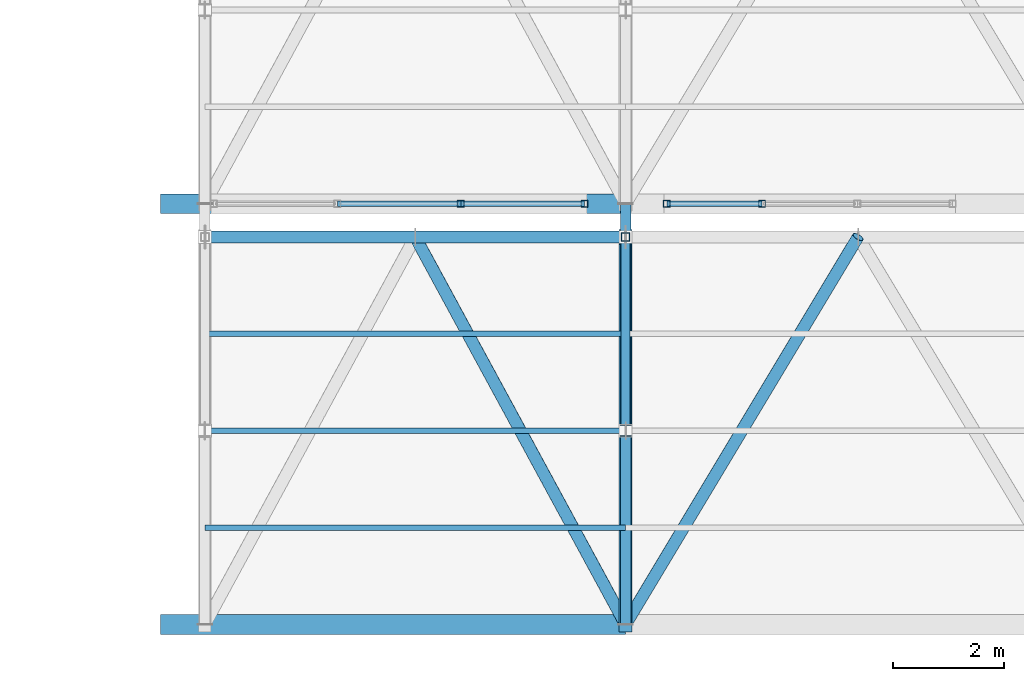
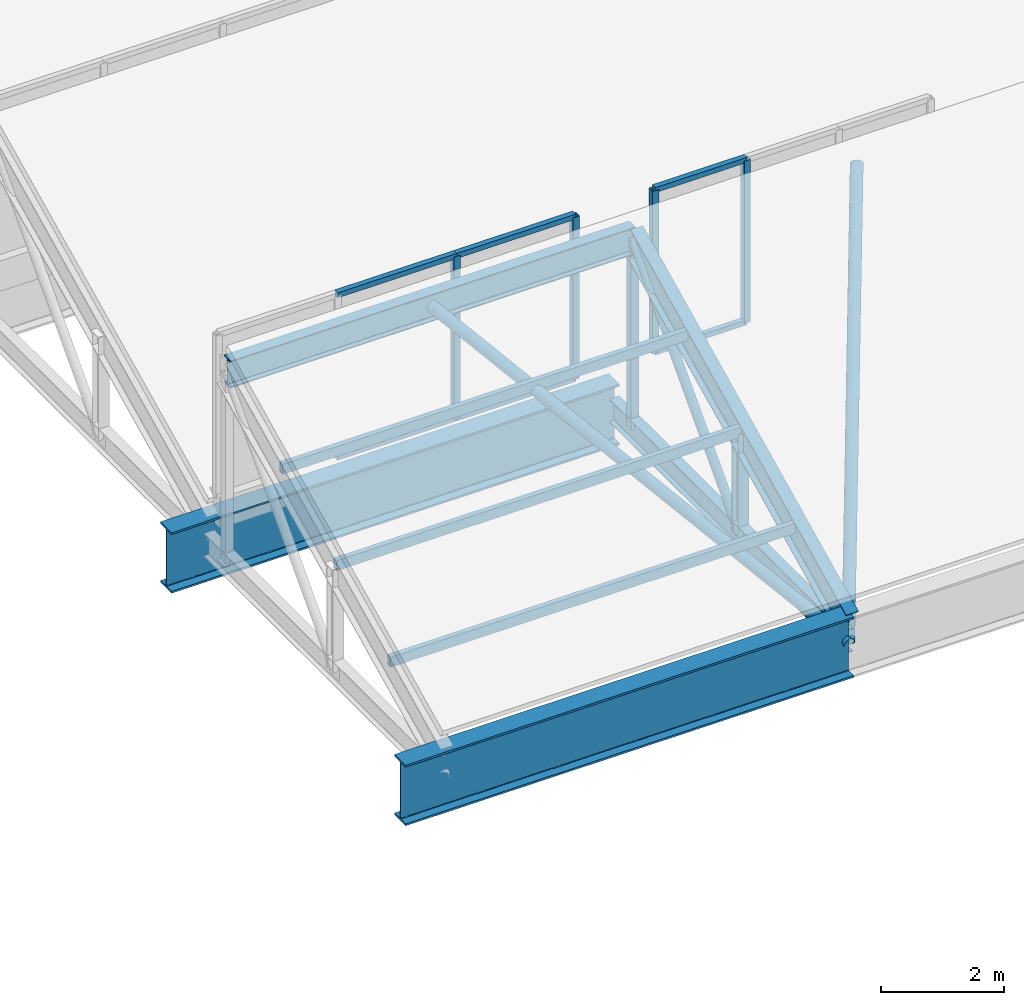
# One storey, part 6 of 57: 21 members, 2 beams, 2 elements without a shape of their own.
"""IFC4 building model written with IfcOpenShell, lengths in metres."""

from ifc_helpers import new_model, si_unit, direction, frame, origin, origin_2d, place, context, subcontext, project, spatial, hollow_rectangle, hollow_circle, i_section, extrude, material, material_profile, profile_set, type_object, element, aggregate, save


model = new_model("IFC4")

# Units and contexts
model_context = context("Model", 3, precision=1e-05, world=origin(), true_north=direction((0.0, 1.0)))
body_context = subcontext(model_context, "Body", "Model", "MODEL_VIEW")
ifc_project = project(units=[si_unit("LENGTHUNIT", "METRE"), si_unit("AREAUNIT", "SQUARE_METRE"), si_unit("VOLUMEUNIT", "CUBIC_METRE"), si_unit("PLANEANGLEUNIT", "RADIAN"), si_unit("MASSUNIT", "GRAM", prefix="KILO")], contexts=[model_context])

# Site, building, storey
site_placement = place(None, origin())
site = spatial("IfcSite", under=ifc_project, at=site_placement, CompositionType="ELEMENT")
building_placement = place(site_placement, origin())
building = spatial("IfcBuilding", under=site, at=building_placement, Name="Zuvorla Pavilion Media Centre", CompositionType="ELEMENT")
storey_placement = place(building_placement, frame((0.0, 0.0, 18.0)))
storey = spatial("IfcBuildingStorey", under=building, at=storey_placement, Name="L04", CompositionType="ELEMENT", Elevation=18.0)

# Beams
ifc_material_1 = material(Name="Steel S355", Category="steel")
ifc_material_profile_1 = material_profile(ifc_material_1, i_section(OverallWidth=0.360107421875, OverallDepth=1.199951171875, WebThickness=0.02001953125, FlangeThickness=0.0380859375, FilletRadius=0.02392578125, at=origin_2d()), Name="PG 1200x360x38")
ifc_profile_set_1 = profile_set([ifc_material_profile_1], Name="Steel S355")
beam_type = type_object("IfcBeamType", Name="BM-PG1200", PredefinedType="BEAM", material=ifc_profile_set_1)
for number, where, z_axis, x_axis, name in (
    (1, (117.199951171875, 6.0, -0.887939453125), (1.0, 0.0, 0.0), (0.0, 1.0, 0.0), "L04 beam B01 1814"),
    (2, (117.199951171875, 13.60009765625, -0.887939453125), (1.0, 0.0, 0.0), (0.0, 1.0, 0.0), "L04 beam B01 1817"),
):
    element("IfcBeam", number, at=place(storey_placement, frame(where, z_axis=z_axis, x_axis=x_axis)), inside=storey, type_object=beam_type, Name=name, PredefinedType="BEAM", context=body_context, shape_type="SweptSolid", body=[
        extrude(i_section(OverallWidth=0.360107421875, OverallDepth=1.199951171875, WebThickness=0.02001953125, FlangeThickness=0.0380859375, FilletRadius=0.02392578125, at=origin_2d()), origin(), (0.0, 0.0, 1.0), 8.400146484375),
    ])

# Curtain wall, members
ifc_material_2 = material(Name="Unitised anodised aluminium and solar glass curtain wall", Category="aluminium")
curtain_wall_type_1 = type_object("IfcCurtainWallType", Name="CW-SYS-90", PredefinedType="USERDEFINED", material=ifc_material_2)
curtain_wall_1_placement = place(storey_placement, origin())
curtain_wall_1 = element("IfcCurtainWall", 3, at=curtain_wall_1_placement, inside=storey, type_object=curtain_wall_type_1, Name="L04 curtain wall CW90 224", ObjectType="CURTAIN WALL", PredefinedType="USERDEFINED")
ifc_material_3 = material(Name="Anodised aluminium 6063-T6", Category="aluminium")
ifc_material_profile_2 = material_profile(ifc_material_3, hollow_rectangle(XDim=0.1201171875, YDim=0.1201171875, WallThickness=0.0048828125, at=origin_2d()), Name="ALU MULL 120x120")
ifc_profile_set_2 = profile_set([ifc_material_profile_2], Name="Anodised aluminium 6063-T6")
member_type_1 = type_object("IfcMemberType", Name="CW-MULL-120", PredefinedType="MULLION", material=ifc_profile_set_2)
member_1_placement = place(storey_placement, frame((122.623779296875, 13.60009765625, 0.0), z_axis=(0.0, 0.0, 1.0), x_axis=(1.0, 0.0, 0.0)))
member_1 = element("IfcMember", 4, at=member_1_placement, type_object=member_type_1, Name="CW90 mullion 3", PredefinedType="MULLION", context=body_context, shape_type="SweptSolid", body=[
    extrude(hollow_rectangle(XDim=0.1201171875, YDim=0.1201171875, WallThickness=0.0048828125, at=origin_2d()), origin(), (0.0, 0.0, 1.0), 3.219970703125),
])
member_2_placement = place(storey_placement, frame((124.855712890625, 13.60009765625, 0.0), z_axis=(0.0, 0.0, 1.0), x_axis=(1.0, 0.0, 0.0)))
member_2 = element("IfcMember", 5, at=member_2_placement, type_object=member_type_1, Name="CW90 mullion 4", PredefinedType="MULLION", context=body_context, shape_type="SweptSolid", body=[
    extrude(hollow_rectangle(XDim=0.1201171875, YDim=0.1201171875, WallThickness=0.0048828125, at=origin_2d()), origin(), (0.0, 0.0, 1.0), 3.219970703125),
])

curtain_wall_type_2 = type_object("IfcCurtainWallType", Name="CW-SYS-91", PredefinedType="USERDEFINED", material=ifc_material_2)
curtain_wall_2_placement = place(storey_placement, origin())
curtain_wall_2 = element("IfcCurtainWall", 6, at=curtain_wall_2_placement, inside=storey, type_object=curtain_wall_type_2, Name="L04 curtain wall CW91 225", ObjectType="CURTAIN WALL", PredefinedType="USERDEFINED")
member_3_placement = place(storey_placement, frame((126.34423828125, 13.60009765625, 0.0), z_axis=(0.0, 0.0, 1.0), x_axis=(1.0, 0.0, 0.0)))
member_3 = element("IfcMember", 7, at=member_3_placement, type_object=member_type_1, Name="CW91 mullion 1", PredefinedType="MULLION", context=body_context, shape_type="SweptSolid", body=[
    extrude(hollow_rectangle(XDim=0.1201171875, YDim=0.1201171875, WallThickness=0.0048828125, at=origin_2d()), origin(), (0.0, 0.0, 1.0), 3.219970703125),
])
member_4_placement = place(storey_placement, frame((128.065185546875, 13.60009765625, 0.0), z_axis=(0.0, 0.0, 1.0), x_axis=(1.0, 0.0, 0.0)))
member_4 = element("IfcMember", 8, at=member_4_placement, type_object=member_type_1, Name="CW91 mullion 2", PredefinedType="MULLION", context=body_context, shape_type="SweptSolid", body=[
    extrude(hollow_rectangle(XDim=0.1201171875, YDim=0.1201171875, WallThickness=0.0048828125, at=origin_2d()), origin(), (0.0, 0.0, 1.0), 3.219970703125),
])

# Member
ifc_material_profile_3 = material_profile(ifc_material_3, hollow_rectangle(XDim=0.10009765625, YDim=0.10009765625, WallThickness=0.00439453125, at=origin_2d()), Name="ALU TRAN 100x100")
ifc_profile_set_3 = profile_set([ifc_material_profile_3], Name="Anodised aluminium 6063-T6")
member_type_2 = type_object("IfcMemberType", Name="CW-TRAN-100", PredefinedType="USERDEFINED", material=ifc_profile_set_3)
member_5_placement = place(storey_placement, frame((120.391845703125, 13.60009765625, 0.0), z_axis=(1.0, 0.0, 0.0), x_axis=(0.0, 1.0, 0.0)))
member_5 = element("IfcMember", 9, at=member_5_placement, type_object=member_type_2, Name="CW90 transom 2.1", ObjectType="TRANSOM", PredefinedType="USERDEFINED", context=body_context, shape_type="SweptSolid", body=[
    extrude(hollow_rectangle(XDim=0.10009765625, YDim=0.10009765625, WallThickness=0.00439453125, at=origin_2d()), origin(), (0.0, 0.0, 1.0), 2.23193359375),
])

member_6_placement = place(storey_placement, frame((120.391845703125, 13.60009765625, 3.219970703125), z_axis=(1.0, 0.0, 0.0), x_axis=(0.0, 1.0, 0.0)))
member_6 = element("IfcMember", 10, at=member_6_placement, type_object=member_type_2, Name="CW90 transom 2.2", ObjectType="TRANSOM", PredefinedType="USERDEFINED", context=body_context, shape_type="SweptSolid", body=[
    extrude(hollow_rectangle(XDim=0.10009765625, YDim=0.10009765625, WallThickness=0.00439453125, at=origin_2d()), origin(), (0.0, 0.0, 1.0), 2.23193359375),
])

member_7_placement = place(storey_placement, frame((122.623779296875, 13.60009765625, 0.0), z_axis=(1.0, 0.0, 0.0), x_axis=(0.0, 1.0, 0.0)))
member_7 = element("IfcMember", 11, at=member_7_placement, type_object=member_type_2, Name="CW90 transom 3.1", ObjectType="TRANSOM", PredefinedType="USERDEFINED", context=body_context, shape_type="SweptSolid", body=[
    extrude(hollow_rectangle(XDim=0.10009765625, YDim=0.10009765625, WallThickness=0.00439453125, at=origin_2d()), origin(), (0.0, 0.0, 1.0), 2.23193359375),
])

member_8_placement = place(storey_placement, frame((122.623779296875, 13.60009765625, 3.219970703125), z_axis=(1.0, 0.0, 0.0), x_axis=(0.0, 1.0, 0.0)))
member_8 = element("IfcMember", 12, at=member_8_placement, type_object=member_type_2, Name="CW90 transom 3.2", ObjectType="TRANSOM", PredefinedType="USERDEFINED", context=body_context, shape_type="SweptSolid", body=[
    extrude(hollow_rectangle(XDim=0.10009765625, YDim=0.10009765625, WallThickness=0.00439453125, at=origin_2d()), origin(), (0.0, 0.0, 1.0), 2.23193359375),
])

aggregate(curtain_wall_1, [member_1, member_2, member_5, member_6, member_7, member_8])

member_9_placement = place(storey_placement, frame((126.34423828125, 13.60009765625, 0.0), z_axis=(1.0, 0.0, 0.0), x_axis=(0.0, 1.0, 0.0)))
member_9 = element("IfcMember", 13, at=member_9_placement, type_object=member_type_2, Name="CW91 transom 1.1", ObjectType="TRANSOM", PredefinedType="USERDEFINED", context=body_context, shape_type="SweptSolid", body=[
    extrude(hollow_rectangle(XDim=0.10009765625, YDim=0.10009765625, WallThickness=0.00439453125, at=origin_2d()), origin(), (0.0, 0.0, 1.0), 1.720947265625),
])

member_10_placement = place(storey_placement, frame((126.34423828125, 13.60009765625, 3.219970703125), z_axis=(1.0, 0.0, 0.0), x_axis=(0.0, 1.0, 0.0)))
member_10 = element("IfcMember", 14, at=member_10_placement, type_object=member_type_2, Name="CW91 transom 1.2", ObjectType="TRANSOM", PredefinedType="USERDEFINED", context=body_context, shape_type="SweptSolid", body=[
    extrude(hollow_rectangle(XDim=0.10009765625, YDim=0.10009765625, WallThickness=0.00439453125, at=origin_2d()), origin(), (0.0, 0.0, 1.0), 1.720947265625),
])

aggregate(curtain_wall_2, [member_3, member_4, member_9, member_10])

# Members
ifc_material_profile_4 = material_profile(ifc_material_1, hollow_circle(Radius=0.084228515625, WallThickness=0.008056640625, at=origin_2d()), Name="CHS 168.3x8")
ifc_profile_set_4 = profile_set([ifc_material_profile_4], Name="Steel S355")
member_type_3 = type_object("IfcMemberType", Name="MEM-BRC-CHS168", PredefinedType="BRACE", material=ifc_profile_set_4)
member_11_placement = place(storey_placement, frame((125.60009765625, 9.5, -0.8798828125), z_axis=(0.0, 0.681156069412, 0.732138244529), x_axis=(-1.0, 0.0, 0.0)))
element("IfcMember", 15, at=member_11_placement, inside=storey, type_object=member_type_3, Name="L04 diagonal brace TB03 506", PredefinedType="BRACE", context=body_context, shape_type="SweptSolid", body=[
    extrude(hollow_circle(Radius=0.084228515625, WallThickness=0.008056640625, at=origin_2d()), origin(), (0.0, 0.0, 1.0), 5.138427734375),
])
ifc_material_profile_5 = material_profile(ifc_material_1, hollow_circle(Radius=0.109619140625, WallThickness=0.010009765625, at=origin_2d()), Name="CHS 219.1x10")
ifc_profile_set_5 = profile_set([ifc_material_profile_5], Name="Steel S355")
member_type_4 = type_object("IfcMemberType", Name="MEM-BRC-CHS219", PredefinedType="BRACE", material=ifc_profile_set_5)
member_12_placement = place(storey_placement, frame((121.800048828125, 13.0, 2.882080078125), z_axis=(0.431398513672, -0.79467126142, -0.427074827958), x_axis=(0.878850861224, 0.477096597899, 0.0)))
element("IfcMember", 16, at=member_12_placement, inside=storey, type_object=member_type_4, Name="L04 diagonal brace TB02 530", PredefinedType="BRACE", context=body_context, shape_type="SweptSolid", body=[
    extrude(hollow_circle(Radius=0.109619140625, WallThickness=0.010009765625, at=origin_2d()), origin(), (0.0, 0.0, 1.0), 8.80859375),
])
member_13_placement = place(storey_placement, frame((125.60009765625, 6.0, -0.8798828125), z_axis=(0.46726169892, 0.778778552081, 0.418533716135), x_axis=(-0.857495564561, 0.514491357322, 0.0)))
element("IfcMember", 17, at=member_13_placement, inside=storey, type_object=member_type_4, Name="L04 diagonal brace TB02 535", PredefinedType="BRACE", context=body_context, shape_type="SweptSolid", body=[
    extrude(hollow_circle(Radius=0.109619140625, WallThickness=0.010009765625, at=origin_2d()), origin(), (0.0, 0.0, 1.0), 8.988525390625),
])
ifc_material_profile_6 = material_profile(ifc_material_1, i_section(OverallWidth=0.19140625, OverallDepth=0.4599609375, WebThickness=0.010009765625, FlangeThickness=0.01611328125, FilletRadius=0.01025390625, at=origin_2d()), Name="UB 457x191x82")
ifc_profile_set_6 = profile_set([ifc_material_profile_6], Name="Steel S355")
member_type_5 = type_object("IfcMemberType", Name="MEM-CHD-UB457", PredefinedType="CHORD", material=ifc_profile_set_6)
member_14_placement = place(storey_placement, frame((125.60009765625, 6.0, -0.8798828125), z_axis=(0.0, 1.0, 0.0), x_axis=(-1.0, 0.0, 0.0)))
element("IfcMember", 18, at=member_14_placement, inside=storey, type_object=member_type_5, Name="L04 chord TC03 503", PredefinedType="CHORD", context=body_context, shape_type="SweptSolid", body=[
    extrude(i_section(OverallWidth=0.19140625, OverallDepth=0.4599609375, WebThickness=0.010009765625, FlangeThickness=0.01611328125, FilletRadius=0.01025390625, at=origin_2d()), origin(), (0.0, 0.0, 1.0), 7.60009765625),
])
ifc_material_profile_7 = material_profile(ifc_material_1, i_section(OverallWidth=0.2099609375, OverallDepth=0.53662109375, WebThickness=0.0107421875, FlangeThickness=0.017333984375, FilletRadius=0.0126953125, at=origin_2d()), Name="UB 533x210x101")
ifc_profile_set_7 = profile_set([ifc_material_profile_7], Name="Steel S355")
member_type_6 = type_object("IfcMemberType", Name="MEM-CHD-UB533", PredefinedType="CHORD", material=ifc_profile_set_7)
member_15_placement = place(storey_placement, frame((118.0, 13.0, 2.882080078125), z_axis=(1.0, 0.0, 0.0), x_axis=(0.0, 1.0, 0.0)))
element("IfcMember", 19, at=member_15_placement, inside=storey, type_object=member_type_6, Name="L04 chord TC02 528", PredefinedType="CHORD", context=body_context, shape_type="SweptSolid", body=[
    extrude(i_section(OverallWidth=0.2099609375, OverallDepth=0.53662109375, WebThickness=0.0107421875, FlangeThickness=0.017333984375, FilletRadius=0.0126953125, at=origin_2d()), origin(), (0.0, 0.0, 1.0), 7.60009765625),
])
ifc_material_profile_8 = material_profile(ifc_material_1, i_section(OverallWidth=0.22900390625, OverallDepth=0.6123046875, WebThickness=0.011962890625, FlangeThickness=0.01953125, FilletRadius=0.0126953125, at=origin_2d()), Name="UB 610x229x125")
ifc_profile_set_8 = profile_set([ifc_material_profile_8], Name="Steel S355")
member_type_7 = type_object("IfcMemberType", Name="MEM-CHD-UB610", PredefinedType="CHORD", material=ifc_profile_set_8)
member_16_placement = place(storey_placement, frame((125.60009765625, 6.0, -0.517822265625), z_axis=(0.0, 0.899513090263, 0.436893809117), x_axis=(-1.0, 0.0, 0.0)))
element("IfcMember", 20, at=member_16_placement, inside=storey, type_object=member_type_7, Name="L04 chord TC01 504", PredefinedType="CHORD", context=body_context, shape_type="SweptSolid", body=[
    extrude(i_section(OverallWidth=0.22900390625, OverallDepth=0.6123046875, WebThickness=0.011962890625, FlangeThickness=0.01953125, FilletRadius=0.0126953125, at=origin_2d()), origin(), (0.0, 0.0, 1.0), 7.781982421875),
])
ifc_material_profile_9 = material_profile(ifc_material_1, hollow_rectangle(XDim=0.10009765625, YDim=0.199951171875, WallThickness=0.008056640625, at=origin_2d()), Name="RHS 200x100x8")
ifc_profile_set_9 = profile_set([ifc_material_profile_9], Name="Steel S355")
member_type_8 = type_object("IfcMemberType", Name="MEM-PUR-RHS200", PredefinedType="PURLIN", material=ifc_profile_set_9)
for number, where, z_axis, x_axis, name in (
    (21, (118.0, 7.75, 0.33203125), (1.0, 0.0, 0.0), (0.0, 1.0, 0.0), "L04 purlin PR01 531"),
    (22, (118.0, 9.5, 1.18212890625), (1.0, 0.0, 0.0), (0.0, 1.0, 0.0), "L04 purlin PR01 532"),
    (23, (118.0, 11.25, 2.031982421875), (1.0, 0.0, 0.0), (0.0, 1.0, 0.0), "L04 purlin PR01 533"),
):
    element("IfcMember", number, at=place(storey_placement, frame(where, z_axis=z_axis, x_axis=x_axis)), inside=storey, type_object=member_type_8, Name=name, PredefinedType="PURLIN", context=body_context, shape_type="SweptSolid", body=[
        extrude(hollow_rectangle(XDim=0.10009765625, YDim=0.199951171875, WallThickness=0.008056640625, at=origin_2d()), origin(), (0.0, 0.0, 1.0), 7.60009765625),
    ])
ifc_material_profile_10 = material_profile(ifc_material_1, hollow_rectangle(XDim=0.14990234375, YDim=0.14990234375, WallThickness=0.008056640625, at=origin_2d()), Name="SHS 150x150x8")
ifc_profile_set_10 = profile_set([ifc_material_profile_10], Name="Steel S355")
member_type_9 = type_object("IfcMemberType", Name="MEM-STR-SHS150", PredefinedType="STRUT", material=ifc_profile_set_10)
member_17_placement = place(storey_placement, frame((125.60009765625, 13.0, -0.8798828125), z_axis=(0.0, 0.0, 1.0), x_axis=(1.0, 0.0, 0.0)))
element("IfcMember", 24, at=member_17_placement, inside=storey, type_object=member_type_9, Name="L04 vertical strut TS01 505", PredefinedType="STRUT", context=body_context, shape_type="SweptSolid", body=[
    extrude(hollow_rectangle(XDim=0.14990234375, YDim=0.14990234375, WallThickness=0.008056640625, at=origin_2d()), origin(), (0.0, 0.0, 1.0), 3.761962890625),
])
ifc_material_profile_11 = material_profile(ifc_material_1, i_section(OverallWidth=0.205810546875, OverallDepth=0.209716796875, WebThickness=0.009521484375, FlangeThickness=0.01416015625, FilletRadius=0.01025390625, at=origin_2d()), Name="UC 203x203x60")
ifc_profile_set_11 = profile_set([ifc_material_profile_11], Name="Steel S355")
member_type_10 = type_object("IfcMemberType", Name="MEM-STR-UC203", PredefinedType="STRUT", material=ifc_profile_set_11)
member_18_placement = place(storey_placement, frame((125.60009765625, 9.5, -0.8798828125), z_axis=(0.0, 0.0, 1.0), x_axis=(1.0, 0.0, 0.0)))
element("IfcMember", 25, at=member_18_placement, inside=storey, type_object=member_type_10, Name="L04 vertical strut TS02 507", PredefinedType="STRUT", context=body_context, shape_type="SweptSolid", body=[
    extrude(i_section(OverallWidth=0.205810546875, OverallDepth=0.209716796875, WebThickness=0.009521484375, FlangeThickness=0.01416015625, FilletRadius=0.01025390625, at=origin_2d()), origin(), (0.0, 0.0, 1.0), 2.06201171875),
])

save(model, "model.ifc")
